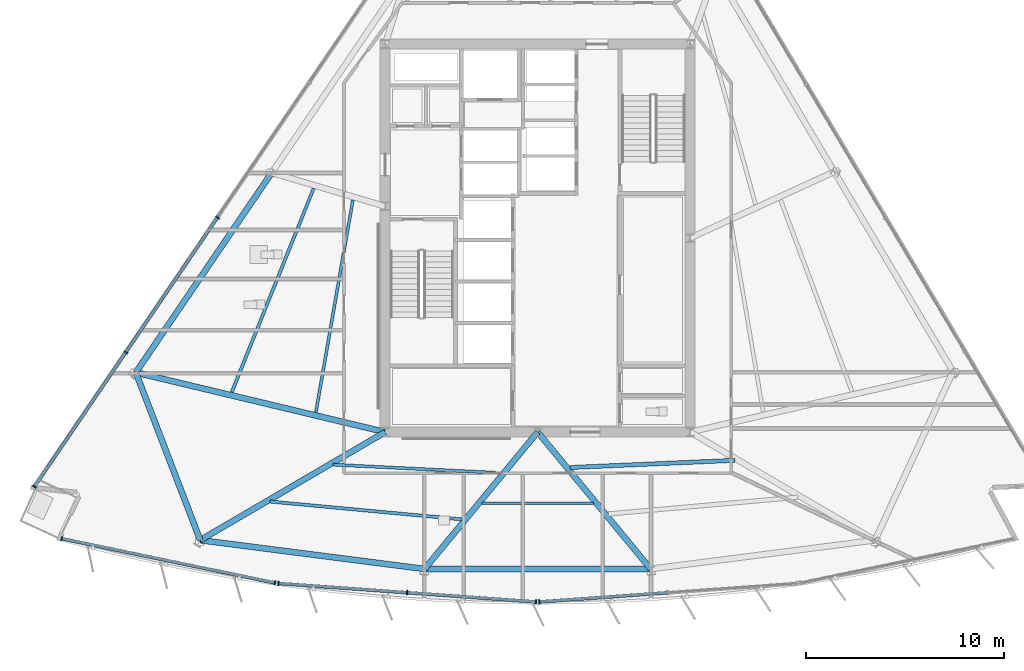
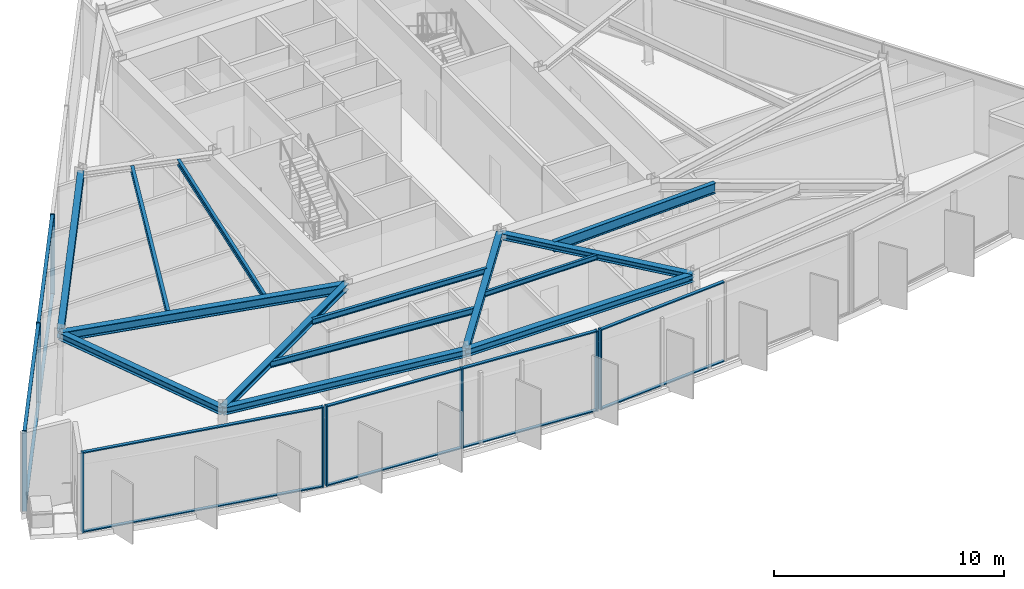
# One storey, part 2 of 13: 21 members, 14 beams, 4 elements without a shape of their own.
"""IFC4 building model written with IfcOpenShell, lengths in metres."""

from ifc_helpers import new_model, si_unit, direction, frame, origin, origin_2d, place, context, subcontext, project, spatial, rectangle, i_section, extrude, material, material_profile, profile_set, type_object, element, aggregate, save


model = new_model("IFC4")

# Units and contexts
model_context = context("Model", 3, precision=1e-05, world=origin(), true_north=direction((0.0, 1.0)))
body_context = subcontext(model_context, "Body", "Model", "MODEL_VIEW")
ifc_project = project(units=[si_unit("LENGTHUNIT", "METRE"), si_unit("AREAUNIT", "SQUARE_METRE"), si_unit("VOLUMEUNIT", "CUBIC_METRE"), si_unit("PLANEANGLEUNIT", "RADIAN"), si_unit("MASSUNIT", "GRAM", prefix="KILO")], contexts=[model_context])

# Site, building, storey
site_placement = place(None, origin())
site = spatial("IfcSite", under=ifc_project, at=site_placement, CompositionType="ELEMENT")
building_placement = place(site_placement, origin())
building = spatial("IfcBuilding", under=site, at=building_placement, Name="Savorim Split Tower", CompositionType="ELEMENT")
storey_placement = place(building_placement, frame((0.0, 0.0, 190.199951171875)))
storey = spatial("IfcBuildingStorey", under=building, at=storey_placement, Name="L50", CompositionType="ELEMENT", Elevation=190.199951171875)

# Beams
ifc_material_1 = material(Name="Steel S355", Category="steel")
ifc_material_profile_1 = material_profile(ifc_material_1, i_section(OverallWidth=0.135009765625, OverallDepth=0.27001953125, WebThickness=0.006591796875, FlangeThickness=0.01025390625, FilletRadius=0.014892578125, at=origin_2d()), Name="IPE 270")
ifc_profile_set_1 = profile_set([ifc_material_profile_1], Name="Steel S355")
beam_type_1 = type_object("IfcBeamType", Name="BM-JST-IPE270", PredefinedType="JOIST", material=ifc_profile_set_1)
beam_1_placement = place(storey_placement, frame((-2.81005859375, -12.995849609375, 4.114990234375), z_axis=(1.0, 0.0, 0.0), x_axis=(0.0, 1.0, 0.0)))
element("IfcBeam", 1, at=beam_1_placement, inside=storey, type_object=beam_type_1, Name="L50 Secondary Floor Joist JS-03", PredefinedType="JOIST", context=body_context, shape_type="SweptSolid", body=[
    extrude(i_section(OverallWidth=0.135009765625, OverallDepth=0.27001953125, WebThickness=0.006591796875, FlangeThickness=0.01025390625, FilletRadius=0.014892578125, at=origin_2d()), origin(), (0.0, 0.0, 1.0), 5.6201171875),
])
ifc_material_profile_2 = material_profile(ifc_material_1, i_section(OverallWidth=0.14990234375, OverallDepth=0.300048828125, WebThickness=0.007080078125, FlangeThickness=0.0107421875, FilletRadius=0.014892578125, at=origin_2d()), Name="IPE 300")
ifc_profile_set_2 = profile_set([ifc_material_profile_2], Name="Steel S355")
beam_type_2 = type_object("IfcBeamType", Name="BM-JST-IPE300", PredefinedType="JOIST", material=ifc_profile_set_2)
beam_2_placement = place(storey_placement, frame((-10.343017578125, -11.0458984375, 4.10009765625), z_axis=(0.998768939651, -0.049604487577, 0.0), x_axis=(0.049604487577, 0.998768939651, 0.0)))
element("IfcBeam", 2, at=beam_2_placement, inside=storey, type_object=beam_type_2, Name="L50 Secondary Floor Joist JS-02", PredefinedType="JOIST", context=body_context, shape_type="SweptSolid", body=[
    extrude(i_section(OverallWidth=0.14990234375, OverallDepth=0.300048828125, WebThickness=0.007080078125, FlangeThickness=0.0107421875, FilletRadius=0.014892578125, at=origin_2d()), origin(), (0.0, 0.0, 1.0), 8.480224609375),
])
beam_3_placement = place(storey_placement, frame((-9.33203125, 2.318115234375, 4.10009765625), z_axis=(-0.171603497583, -0.985166097477, 0.0), x_axis=(0.985166097477, -0.171603497583, 0.0)))
element("IfcBeam", 3, at=beam_3_placement, inside=storey, type_object=beam_type_2, Name="L50 Secondary Floor Joist JS-11", PredefinedType="JOIST", context=body_context, shape_type="SweptSolid", body=[
    extrude(i_section(OverallWidth=0.14990234375, OverallDepth=0.300048828125, WebThickness=0.007080078125, FlangeThickness=0.0107421875, FilletRadius=0.014892578125, at=origin_2d()), origin(), (0.0, 0.0, 1.0), 10.87939453125),
])
ifc_material_profile_3 = material_profile(ifc_material_1, i_section(OverallWidth=0.159912109375, OverallDepth=0.330078125, WebThickness=0.007568359375, FlangeThickness=0.011474609375, FilletRadius=0.01806640625, at=origin_2d()), Name="IPE 330")
ifc_profile_set_3 = profile_set([ifc_material_profile_3], Name="Steel S355")
beam_type_3 = type_object("IfcBeamType", Name="BM-JST-IPE330", PredefinedType="JOIST", material=ifc_profile_set_3)
beam_4_placement = place(storey_placement, frame((-13.519775390625, -12.909423828125, 4.0849609375), z_axis=(0.99571452923, -0.092480139919, 0.0), x_axis=(0.092480139919, 0.99571452923, 0.0)))
element("IfcBeam", 4, at=beam_4_placement, inside=storey, type_object=beam_type_3, Name="L50 Secondary Floor Joist JS-01", PredefinedType="JOIST", context=body_context, shape_type="SweptSolid", body=[
    extrude(i_section(OverallWidth=0.159912109375, OverallDepth=0.330078125, WebThickness=0.007568359375, FlangeThickness=0.011474609375, FilletRadius=0.01806640625, at=origin_2d()), origin(), (0.0, 0.0, 1.0), 9.74658203125),
])
beam_5_placement = place(storey_placement, frame((-11.3125, 2.905029296875, 4.0849609375), z_axis=(-0.372938637257, -0.927856008678, 0.0), x_axis=(0.927856008678, -0.372938637257, 0.0)))
element("IfcBeam", 5, at=beam_5_placement, inside=storey, type_object=beam_type_3, Name="L50 Secondary Floor Joist JS-10", PredefinedType="JOIST", context=body_context, shape_type="SweptSolid", body=[
    extrude(i_section(OverallWidth=0.159912109375, OverallDepth=0.330078125, WebThickness=0.007568359375, FlangeThickness=0.011474609375, FilletRadius=0.01806640625, at=origin_2d()), origin(), (0.0, 0.0, 1.0), 11.0908203125),
])
ifc_material_profile_4 = material_profile(ifc_material_1, i_section(OverallWidth=0.2099609375, OverallDepth=0.550048828125, WebThickness=0.010986328125, FlangeThickness=0.01708984375, FilletRadius=0.02392578125, at=origin_2d()), Name="IPE 550")
ifc_profile_set_4 = profile_set([ifc_material_profile_4], Name="Steel S355")
beam_type_4 = type_object("IfcBeamType", Name="BM-JST-IPE550", PredefinedType="JOIST", material=ifc_profile_set_4)
beam_6_placement = place(storey_placement, frame((1.64501953125, -11.19091796875, 3.97509765625), z_axis=(0.999043956547, 0.043716963373, 0.0), x_axis=(-0.043716963373, 0.999043956547, 0.0)))
element("IfcBeam", 6, at=beam_6_placement, inside=storey, type_object=beam_type_4, Name="L50 Secondary Floor Joist JS-05", PredefinedType="JOIST", context=body_context, shape_type="SweptSolid", body=[
    extrude(i_section(OverallWidth=0.2099609375, OverallDepth=0.550048828125, WebThickness=0.010986328125, FlangeThickness=0.01708984375, FilletRadius=0.02392578125, at=origin_2d()), origin(), (0.0, 0.0, 1.0), 8.332275390625),
])
ifc_material_profile_5 = material_profile(ifc_material_1, i_section(OverallWidth=0.300048828125, OverallDepth=0.320068359375, WebThickness=0.011474609375, FlangeThickness=0.0205078125, FilletRadius=0.027099609375, at=origin_2d()), Name="HEB 320")
ifc_profile_set_5 = profile_set([ifc_material_profile_5], Name="Steel S355")
beam_type_5 = type_object("IfcBeamType", Name="BM-PRI-HEB320", PredefinedType="BEAM", material=ifc_profile_set_5)
beam_7_placement = place(storey_placement, frame((-17.042236328125, -14.8603515625, 4.090087890625), z_axis=(0.863344882496, 0.504614321902, 0.0), x_axis=(-0.504614321902, 0.863344882496, 0.0)))
element("IfcBeam", 7, at=beam_7_placement, inside=storey, type_object=beam_type_5, Name="L50 Primary Floor Girder RG-01", PredefinedType="BEAM", context=body_context, shape_type="SweptSolid", body=[
    extrude(i_section(OverallWidth=0.300048828125, OverallDepth=0.320068359375, WebThickness=0.011474609375, FlangeThickness=0.0205078125, FilletRadius=0.027099609375, at=origin_2d()), origin(), (0.0, 0.0, 1.0), 10.821044921875),
])
for number, where, z_axis, x_axis, name in (
    (8, (-5.7119140625, -16.315185546875, 4.090087890625), (0.636834315802, 0.771000683668, 0.0), (-0.771000683668, 0.636834315802, 0.0), "L50 Primary Floor Girder RG-02"),
    (9, (5.7119140625, -16.315185546875, 4.090087890625), (-0.636834315802, 0.771000683668, 0.0), (-0.771000683668, -0.636834315802, 0.0), "L50 Primary Floor Girder RG-03"),
):
    element("IfcBeam", number, at=place(storey_placement, frame(where, z_axis=z_axis, x_axis=x_axis)), inside=storey, type_object=beam_type_5, Name=name, PredefinedType="BEAM", context=body_context, shape_type="SweptSolid", body=[
        extrude(i_section(OverallWidth=0.300048828125, OverallDepth=0.320068359375, WebThickness=0.011474609375, FlangeThickness=0.0205078125, FilletRadius=0.027099609375, at=origin_2d()), origin(), (0.0, 0.0, 1.0), 8.96923828125),
    ])
ifc_material_profile_6 = material_profile(ifc_material_1, i_section(OverallWidth=0.300048828125, OverallDepth=0.5, WebThickness=0.014404296875, FlangeThickness=0.028076171875, FilletRadius=0.027099609375, at=origin_2d()), Name="HEB 500")
ifc_profile_set_6 = profile_set([ifc_material_profile_6], Name="Steel S355")
beam_type_6 = type_object("IfcBeamType", Name="BM-PRI-HEB500", PredefinedType="BEAM", material=ifc_profile_set_6)
beam_8_placement = place(storey_placement, frame((-20.29443359375, -6.390869140625, 4.0), z_axis=(0.972625876374, -0.23237664385, 0.0), x_axis=(0.23237664385, 0.972625876374, 0.0)))
element("IfcBeam", 10, at=beam_8_placement, inside=storey, type_object=beam_type_6, Name="L50 Primary Floor Girder RG-10", PredefinedType="BEAM", context=body_context, shape_type="SweptSolid", body=[
    extrude(i_section(OverallWidth=0.300048828125, OverallDepth=0.5, WebThickness=0.014404296875, FlangeThickness=0.028076171875, FilletRadius=0.027099609375, at=origin_2d()), origin(), (0.0, 0.0, 1.0), 12.948974609375),
])
ifc_material_profile_7 = material_profile(ifc_material_1, i_section(OverallWidth=0.300048828125, OverallDepth=0.389892578125, WebThickness=0.010986328125, FlangeThickness=0.01904296875, FilletRadius=0.027099609375, at=origin_2d()), Name="HEA 400")
ifc_profile_set_7 = profile_set([ifc_material_profile_7], Name="Steel S355")
beam_type_7 = type_object("IfcBeamType", Name="BM-SPN-HEA400", PredefinedType="SPANDREL", material=ifc_profile_set_7)
beam_9_placement = place(storey_placement, frame((-17.042236328125, -14.8603515625, 4.054931640625), z_axis=(0.991857039189, -0.127356247636, 0.0), x_axis=(0.127356247636, 0.991857039189, 0.0)))
element("IfcBeam", 11, at=beam_9_placement, inside=storey, type_object=beam_type_7, Name="L50 Perimeter Spandrel Beam 1", PredefinedType="SPANDREL", context=body_context, shape_type="SweptSolid", body=[
    extrude(i_section(OverallWidth=0.300048828125, OverallDepth=0.389892578125, WebThickness=0.010986328125, FlangeThickness=0.01904296875, FilletRadius=0.027099609375, at=origin_2d()), origin(), (0.0, 0.0, 1.0), 11.42333984375),
])
beam_10_placement = place(storey_placement, frame((-5.7119140625, -16.315185546875, 4.054931640625), z_axis=(1.0, 0.0, 0.0), x_axis=(0.0, 1.0, 0.0)))
element("IfcBeam", 12, at=beam_10_placement, inside=storey, type_object=beam_type_7, Name="L50 Perimeter Spandrel Beam 2", PredefinedType="SPANDREL", context=body_context, shape_type="SweptSolid", body=[
    extrude(i_section(OverallWidth=0.300048828125, OverallDepth=0.389892578125, WebThickness=0.010986328125, FlangeThickness=0.01904296875, FilletRadius=0.027099609375, at=origin_2d()), origin(), (0.0, 0.0, 1.0), 11.423828125),
])
beam_11_placement = place(storey_placement, frame((-13.430419921875, 3.699462890625, 4.054931640625), z_axis=(-0.562455019905, -0.826827884498, 0.0), x_axis=(0.826827884498, -0.562455019905, 0.0)))
element("IfcBeam", 13, at=beam_11_placement, inside=storey, type_object=beam_type_7, Name="L50 Perimeter Spandrel Beam 9", PredefinedType="SPANDREL", context=body_context, shape_type="SweptSolid", body=[
    extrude(i_section(OverallWidth=0.300048828125, OverallDepth=0.389892578125, WebThickness=0.010986328125, FlangeThickness=0.01904296875, FilletRadius=0.027099609375, at=origin_2d()), origin(), (0.0, 0.0, 1.0), 12.20361328125),
])
beam_12_placement = place(storey_placement, frame((-20.29443359375, -6.390869140625, 4.054931640625), z_axis=(0.358470506855, -0.933541051971, 0.0), x_axis=(0.933541051971, 0.358470506855, 0.0)))
element("IfcBeam", 14, at=beam_12_placement, inside=storey, type_object=beam_type_7, Name="L50 Perimeter Spandrel Beam 10", PredefinedType="SPANDREL", context=body_context, shape_type="SweptSolid", body=[
    extrude(i_section(OverallWidth=0.300048828125, OverallDepth=0.389892578125, WebThickness=0.010986328125, FlangeThickness=0.01904296875, FilletRadius=0.027099609375, at=origin_2d()), origin(), (0.0, 0.0, 1.0), 9.072509765625),
])

# Curtain wall, members
ifc_material_2 = material(Name="Dark Ceramic-Fritted Insulated Glass", Category="glass")
curtain_wall_type = type_object("IfcCurtainWallType", Name="CW-SKY-ATRIUM", PredefinedType="NOTDEFINED", material=ifc_material_2)
curtain_wall_1_placement = place(storey_placement, origin())
curtain_wall_1 = element("IfcCurtainWall", 15, at=curtain_wall_1_placement, inside=storey, type_object=curtain_wall_type, Name="L50 Curtain Wall CW-L50-SF1", PredefinedType="NOTDEFINED")
ifc_material_3 = material(Name="Charcoal Anodised Aluminium", Category="aluminium")
ifc_material_profile_8 = material_profile(ifc_material_3, rectangle(XDim=0.219970703125, YDim=0.070068359375, at=origin_2d()), Name="ALU-M 220x70")
ifc_profile_set_8 = profile_set([ifc_material_profile_8], Name="Charcoal Anodised Aluminium")
member_type_1 = type_object("IfcMemberType", Name="CWM-220x70", PredefinedType="MULLION", material=ifc_profile_set_8)
member_1_placement = place(storey_placement, frame((-24.036376953125, -14.783935546875, 0.0), z_axis=(0.0, 0.0, 1.0), x_axis=(0.203207957161, 0.979135601511, 0.0)))
member_1 = element("IfcMember", 16, at=member_1_placement, type_object=member_type_1, Name="CW-05 mullion 1", PredefinedType="MULLION", context=body_context, shape_type="SweptSolid", body=[
    extrude(rectangle(XDim=0.219970703125, YDim=0.070068359375, at=origin_2d()), origin(), (0.0, 0.0, 1.0), 4.25),
])
member_2_placement = place(storey_placement, frame((-13.269287109375, -17.0185546875, 0.0), z_axis=(0.0, 0.0, 1.0), x_axis=(0.203207957161, 0.979135601511, 0.0)))
member_2 = element("IfcMember", 17, at=member_2_placement, type_object=member_type_1, Name="CW-05 mullion 2", PredefinedType="MULLION", context=body_context, shape_type="SweptSolid", body=[
    extrude(rectangle(XDim=0.219970703125, YDim=0.070068359375, at=origin_2d()), origin(), (0.0, 0.0, 1.0), 4.25),
])

curtain_wall_2_placement = place(storey_placement, origin())
curtain_wall_2 = element("IfcCurtainWall", 18, at=curtain_wall_2_placement, inside=storey, type_object=curtain_wall_type, Name="L50 Curtain Wall CW-L50-SF2", PredefinedType="NOTDEFINED")
member_3_placement = place(storey_placement, frame((-13.09716796875, -17.04248046875, 0.0), z_axis=(0.0, 0.0, 1.0), x_axis=(0.071561883187, 0.997436161804, 0.0)))
member_3 = element("IfcMember", 19, at=member_3_placement, type_object=member_type_1, Name="CW-05 mullion 1", PredefinedType="MULLION", context=body_context, shape_type="SweptSolid", body=[
    extrude(rectangle(XDim=0.219970703125, YDim=0.070068359375, at=origin_2d()), origin(), (0.0, 0.0, 1.0), 4.25),
])
member_4_placement = place(storey_placement, frame((-6.591796875, -17.509033203125, 0.0), z_axis=(0.0, 0.0, 1.0), x_axis=(0.071561883187, 0.997436161804, 0.0)))
member_4 = element("IfcMember", 20, at=member_4_placement, type_object=member_type_1, Name="CW-05 mullion 2", PredefinedType="MULLION", context=body_context, shape_type="SweptSolid", body=[
    extrude(rectangle(XDim=0.219970703125, YDim=0.070068359375, at=origin_2d()), origin(), (0.0, 0.0, 1.0), 4.25),
])
member_5_placement = place(storey_placement, frame((-0.086181640625, -17.975830078125, 0.0), z_axis=(0.0, 0.0, 1.0), x_axis=(0.071561883187, 0.997436161804, 0.0)))
member_5 = element("IfcMember", 21, at=member_5_placement, type_object=member_type_1, Name="CW-05 mullion 3", PredefinedType="MULLION", context=body_context, shape_type="SweptSolid", body=[
    extrude(rectangle(XDim=0.219970703125, YDim=0.070068359375, at=origin_2d()), origin(), (0.0, 0.0, 1.0), 4.25),
])

# Curtain wall, member
curtain_wall_3_placement = place(storey_placement, origin())
curtain_wall_3 = element("IfcCurtainWall", 22, at=curtain_wall_3_placement, inside=storey, type_object=curtain_wall_type, Name="L50 Curtain Wall CW-L50-SF3", PredefinedType="NOTDEFINED")
member_6_placement = place(storey_placement, frame((0.086181640625, -17.975830078125, 0.0), z_axis=(0.0, 0.0, 1.0), x_axis=(-0.071561883187, 0.997436161804, 0.0)))
member_6 = element("IfcMember", 23, at=member_6_placement, type_object=member_type_1, Name="CW-05 mullion 1", PredefinedType="MULLION", context=body_context, shape_type="SweptSolid", body=[
    extrude(rectangle(XDim=0.219970703125, YDim=0.070068359375, at=origin_2d()), origin(), (0.0, 0.0, 1.0), 4.25),
])

# Curtain wall, members
curtain_wall_4_placement = place(storey_placement, origin())
curtain_wall_4 = element("IfcCurtainWall", 24, at=curtain_wall_4_placement, inside=storey, type_object=curtain_wall_type, Name="L50 Curtain Wall CW-L50-WEST", PredefinedType="NOTDEFINED")
member_7_placement = place(storey_placement, frame((-16.164306640625, 1.44140625, 0.0), z_axis=(0.0, 0.0, 1.0), x_axis=(0.826820328821, -0.562466126845, 0.0)))
member_7 = element("IfcMember", 25, at=member_7_placement, type_object=member_type_1, Name="CW-05 mullion 4", PredefinedType="MULLION", context=body_context, shape_type="SweptSolid", body=[
    extrude(rectangle(XDim=0.219970703125, YDim=0.070068359375, at=origin_2d()), origin(), (0.0, 0.0, 1.0), 4.25),
])
member_8_placement = place(storey_placement, frame((-20.800048828125, -5.372802734375, 0.0), z_axis=(0.0, 0.0, 1.0), x_axis=(0.826820328821, -0.562466126845, 0.0)))
member_8 = element("IfcMember", 26, at=member_8_placement, type_object=member_type_1, Name="CW-05 mullion 5", PredefinedType="MULLION", context=body_context, shape_type="SweptSolid", body=[
    extrude(rectangle(XDim=0.219970703125, YDim=0.070068359375, at=origin_2d()), origin(), (0.0, 0.0, 1.0), 4.25),
])
member_9_placement = place(storey_placement, frame((-25.416015625, -12.158447265625, 0.0), z_axis=(0.0, 0.0, 1.0), x_axis=(0.826820328821, -0.562466126845, 0.0)))
member_9 = element("IfcMember", 27, at=member_9_placement, type_object=member_type_1, Name="CW-05 mullion 6", PredefinedType="MULLION", context=body_context, shape_type="SweptSolid", body=[
    extrude(rectangle(XDim=0.219970703125, YDim=0.070068359375, at=origin_2d()), origin(), (0.0, 0.0, 1.0), 4.25),
])

# Member
ifc_material_profile_9 = material_profile(ifc_material_3, rectangle(XDim=0.159912109375, YDim=0.06005859375, at=origin_2d()), Name="ALU-T 160x60")
ifc_profile_set_9 = profile_set([ifc_material_profile_9], Name="Charcoal Anodised Aluminium")
member_type_2 = type_object("IfcMemberType", Name="CWT-160x60", PredefinedType="USERDEFINED", material=ifc_profile_set_9)
member_10_placement = place(storey_placement, frame((-24.001953125, -14.791015625, 0.030029296875), z_axis=(0.979133501925, -0.203218073527, 0.0), x_axis=(0.203218073527, 0.979133501925, 0.0)))
member_10 = element("IfcMember", 28, at=member_10_placement, type_object=member_type_2, Name="CW-05 transom 1.1", ObjectType="TRANSOM", PredefinedType="USERDEFINED", context=body_context, shape_type="SweptSolid", body=[
    extrude(rectangle(XDim=0.159912109375, YDim=0.06005859375, at=origin_2d()), origin(), (0.0, 0.0, 1.0), 10.926513671875),
])

member_11_placement = place(storey_placement, frame((-24.001953125, -14.791015625, 4.219970703125), z_axis=(0.979133501925, -0.203218073527, 0.0), x_axis=(0.203218073527, 0.979133501925, 0.0)))
member_11 = element("IfcMember", 29, at=member_11_placement, type_object=member_type_2, Name="CW-05 transom 1.2", ObjectType="TRANSOM", PredefinedType="USERDEFINED", context=body_context, shape_type="SweptSolid", body=[
    extrude(rectangle(XDim=0.159912109375, YDim=0.06005859375, at=origin_2d()), origin(), (0.0, 0.0, 1.0), 10.926513671875),
])

aggregate(curtain_wall_1, [member_1, member_2, member_10, member_11])

member_12_placement = place(storey_placement, frame((-13.0625, -17.044921875, 0.030029296875), z_axis=(0.997436949749, -0.071550899889, 0.0), x_axis=(0.071550899889, 0.997436949749, 0.0)))
member_12 = element("IfcMember", 30, at=member_12_placement, type_object=member_type_2, Name="CW-05 transom 1.1", ObjectType="TRANSOM", PredefinedType="USERDEFINED", context=body_context, shape_type="SweptSolid", body=[
    extrude(rectangle(XDim=0.159912109375, YDim=0.06005859375, at=origin_2d()), origin(), (0.0, 0.0, 1.0), 6.452392578125),
])

member_13_placement = place(storey_placement, frame((-13.0625, -17.044921875, 4.219970703125), z_axis=(0.997436949749, -0.071550899889, 0.0), x_axis=(0.071550899889, 0.997436949749, 0.0)))
member_13 = element("IfcMember", 31, at=member_13_placement, type_object=member_type_2, Name="CW-05 transom 1.2", ObjectType="TRANSOM", PredefinedType="USERDEFINED", context=body_context, shape_type="SweptSolid", body=[
    extrude(rectangle(XDim=0.159912109375, YDim=0.06005859375, at=origin_2d()), origin(), (0.0, 0.0, 1.0), 6.452392578125),
])

member_14_placement = place(storey_placement, frame((-6.556884765625, -17.51171875, 0.030029296875), z_axis=(0.997436949749, -0.071550899889, 0.0), x_axis=(0.071550899889, 0.997436949749, 0.0)))
member_14 = element("IfcMember", 32, at=member_14_placement, type_object=member_type_2, Name="CW-05 transom 2.1", ObjectType="TRANSOM", PredefinedType="USERDEFINED", context=body_context, shape_type="SweptSolid", body=[
    extrude(rectangle(XDim=0.159912109375, YDim=0.06005859375, at=origin_2d()), origin(), (0.0, 0.0, 1.0), 6.452392578125),
])

member_15_placement = place(storey_placement, frame((-6.556884765625, -17.51171875, 4.219970703125), z_axis=(0.997436949749, -0.071550899889, 0.0), x_axis=(0.071550899889, 0.997436949749, 0.0)))
member_15 = element("IfcMember", 33, at=member_15_placement, type_object=member_type_2, Name="CW-05 transom 2.2", ObjectType="TRANSOM", PredefinedType="USERDEFINED", context=body_context, shape_type="SweptSolid", body=[
    extrude(rectangle(XDim=0.159912109375, YDim=0.06005859375, at=origin_2d()), origin(), (0.0, 0.0, 1.0), 6.452392578125),
])

aggregate(curtain_wall_2, [member_3, member_4, member_5, member_12, member_13, member_14, member_15])

member_16_placement = place(storey_placement, frame((0.12109375, -17.973388671875, 0.030029296875), z_axis=(0.997436949749, 0.071550899889, 0.0), x_axis=(-0.071550899889, 0.997436949749, 0.0)))
member_16 = element("IfcMember", 34, at=member_16_placement, type_object=member_type_2, Name="CW-05 transom 1.1", ObjectType="TRANSOM", PredefinedType="USERDEFINED", context=body_context, shape_type="SweptSolid", body=[
    extrude(rectangle(XDim=0.159912109375, YDim=0.06005859375, at=origin_2d()), origin(), (0.0, 0.0, 1.0), 6.452392578125),
])

member_17_placement = place(storey_placement, frame((0.12109375, -17.973388671875, 4.219970703125), z_axis=(0.997436949749, 0.071550899889, 0.0), x_axis=(-0.071550899889, 0.997436949749, 0.0)))
member_17 = element("IfcMember", 35, at=member_17_placement, type_object=member_type_2, Name="CW-05 transom 1.2", ObjectType="TRANSOM", PredefinedType="USERDEFINED", context=body_context, shape_type="SweptSolid", body=[
    extrude(rectangle(XDim=0.159912109375, YDim=0.06005859375, at=origin_2d()), origin(), (0.0, 0.0, 1.0), 6.452392578125),
])

aggregate(curtain_wall_3, [member_6, member_16, member_17])

member_18_placement = place(storey_placement, frame((-16.18408203125, 1.41259765625, 0.030029296875), z_axis=(-0.562453020909, -0.826829244325, 0.0), x_axis=(0.826829244325, -0.562453020909, 0.0)))
member_18 = element("IfcMember", 36, at=member_18_placement, type_object=member_type_2, Name="CW-05 transom 4.1", ObjectType="TRANSOM", PredefinedType="USERDEFINED", context=body_context, shape_type="SweptSolid", body=[
    extrude(rectangle(XDim=0.159912109375, YDim=0.06005859375, at=origin_2d()), origin(), (0.0, 0.0, 1.0), 8.171630859375),
])

member_19_placement = place(storey_placement, frame((-16.18408203125, 1.41259765625, 4.219970703125), z_axis=(-0.562453020909, -0.826829244325, 0.0), x_axis=(0.826829244325, -0.562453020909, 0.0)))
member_19 = element("IfcMember", 37, at=member_19_placement, type_object=member_type_2, Name="CW-05 transom 4.2", ObjectType="TRANSOM", PredefinedType="USERDEFINED", context=body_context, shape_type="SweptSolid", body=[
    extrude(rectangle(XDim=0.159912109375, YDim=0.06005859375, at=origin_2d()), origin(), (0.0, 0.0, 1.0), 8.171630859375),
])

member_20_placement = place(storey_placement, frame((-20.81982421875, -5.40185546875, 0.030029296875), z_axis=(-0.562451997291, -0.826829940643, 0.0), x_axis=(0.826829940643, -0.562451997291, 0.0)))
member_20 = element("IfcMember", 38, at=member_20_placement, type_object=member_type_2, Name="CW-05 transom 5.1", ObjectType="TRANSOM", PredefinedType="USERDEFINED", context=body_context, shape_type="SweptSolid", body=[
    extrude(rectangle(XDim=0.159912109375, YDim=0.06005859375, at=origin_2d()), origin(), (0.0, 0.0, 1.0), 8.136474609375),
])

member_21_placement = place(storey_placement, frame((-20.81982421875, -5.40185546875, 4.219970703125), z_axis=(-0.562451997291, -0.826829940643, 0.0), x_axis=(0.826829940643, -0.562451997291, 0.0)))
member_21 = element("IfcMember", 39, at=member_21_placement, type_object=member_type_2, Name="CW-05 transom 5.2", ObjectType="TRANSOM", PredefinedType="USERDEFINED", context=body_context, shape_type="SweptSolid", body=[
    extrude(rectangle(XDim=0.159912109375, YDim=0.06005859375, at=origin_2d()), origin(), (0.0, 0.0, 1.0), 8.136474609375),
])

aggregate(curtain_wall_4, [member_7, member_8, member_9, member_18, member_19, member_20, member_21])

save(model, "model.ifc")
